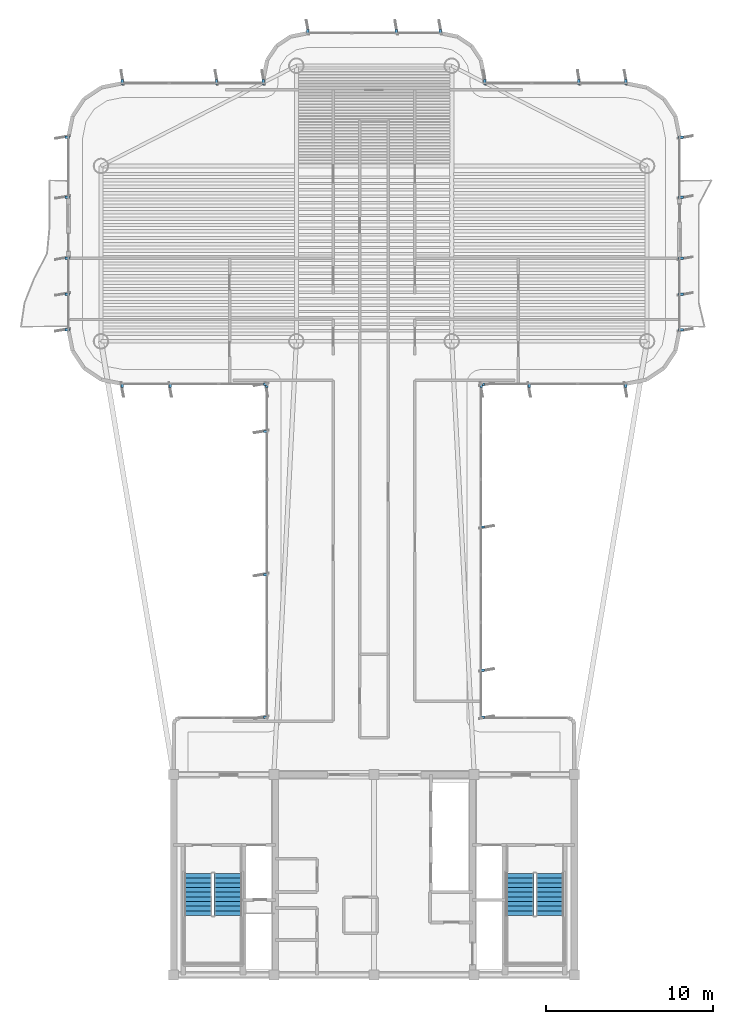
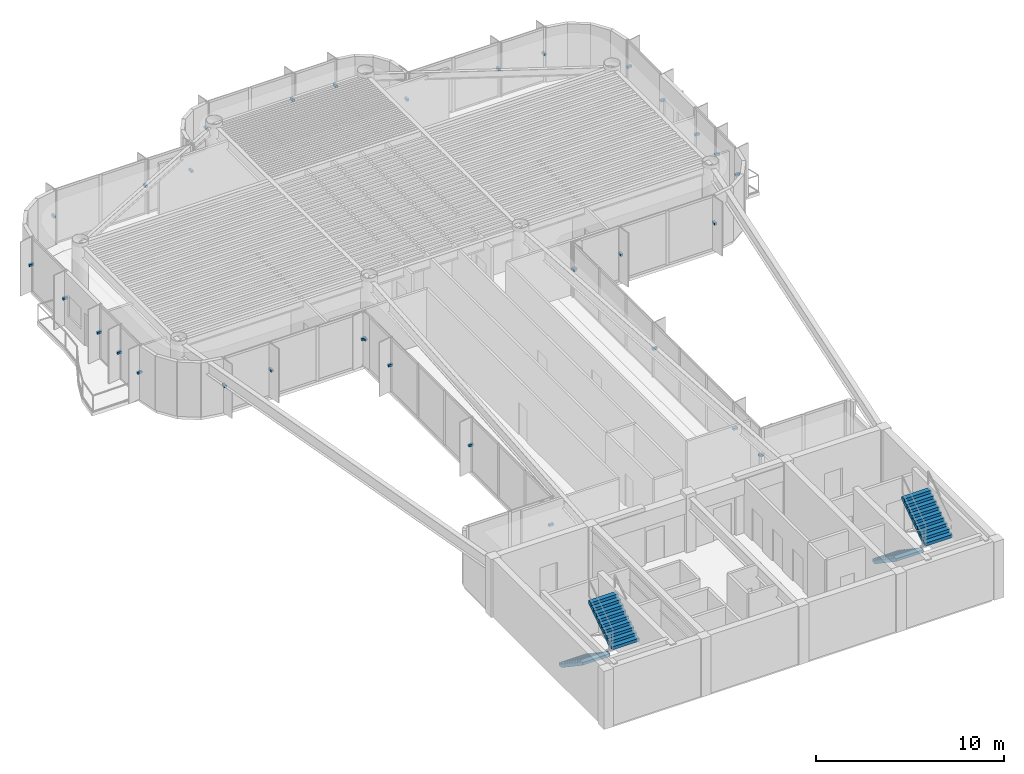
# One storey, part 13 of 15: 33 discrete accessories, 4 stair flights, 2 elements without a shape of their own.
"""IFC4 building model written with IfcOpenShell, lengths in metres."""

from ifc_helpers import new_model, si_unit, direction, frame, origin, origin_2d, place, context, subcontext, project, spatial, polyline, rectangle, outline, extrude, source, transform, mapped, material, type_object, element, aggregate, save


model = new_model("IFC4")

# Units and contexts
model_context = context("Model", 3, precision=1e-05, world=origin(), true_north=direction((0.0, 1.0)))
body_context = subcontext(model_context, "Body", "Model", "MODEL_VIEW")
ifc_project = project(units=[si_unit("LENGTHUNIT", "METRE"), si_unit("AREAUNIT", "SQUARE_METRE"), si_unit("VOLUMEUNIT", "CUBIC_METRE"), si_unit("PLANEANGLEUNIT", "RADIAN"), si_unit("MASSUNIT", "GRAM", prefix="KILO")], contexts=[model_context])

# Site, building, storey
site_placement = place(None, origin())
site = spatial("IfcSite", under=ifc_project, at=site_placement, CompositionType="ELEMENT")
building_placement = place(site_placement, origin())
building = spatial("IfcBuilding", under=site, at=building_placement, Name="Brelvock Crest Care Tower", CompositionType="ELEMENT")
storey_placement = place(building_placement, frame((0.0, 0.0, 241.919921875)))
storey = spatial("IfcBuildingStorey", under=building, at=storey_placement, Name="L61", CompositionType="ELEMENT", Elevation=241.919921875)

# Stair, stair flights
ifc_material_1 = material(Name="Concrete N40 (40 MPa)", Category="concrete")
stair_type = type_object("IfcStairType", Name="ST-CORE1", PredefinedType="HALF_TURN_STAIR", material=ifc_material_1)
stair_1_placement = place(storey_placement, origin())
stair_1 = element("IfcStair", 1, at=stair_1_placement, inside=storey, type_object=stair_type, Name="L61 Fire-Isolated Core Stair ST-1", PredefinedType="HALF_TURN_STAIR")
stair_flight_type = type_object("IfcStairFlightType", Name="STF-1", PredefinedType="STRAIGHT", material=ifc_material_1)
stair_flight_1_placement = place(storey_placement, frame((25.469970703125, 12.080078125, 0.0), z_axis=(0.0, 0.0, 1.0), x_axis=(0.0, -1.0, 0.0)))
stair_flight_1 = element("IfcStairFlight", 2, at=stair_flight_1_placement, type_object=stair_flight_type, Name="ST-1 flight 1", NumberOfRisers=10, NumberOfTreads=9, PredefinedType="STRAIGHT", RiserHeight=0.189, TreadLength=0.28, context=body_context, shape_type="SweptSolid", body=[
    extrude(outline(polyline([(-0.00390625, -0.014892578125), (-0.00390625, -0.0078125), (-0.00390625, -0.00048828125), (-0.00390625, 0.0068359375), (-0.00390625, 0.01416015625), (-0.00390625, 0.021484375), (-0.00390625, 0.02880859375), (-0.00390625, 0.035888671875), (-0.00390625, 0.043212890625), (-0.00390625, 0.050537109375), (-0.00390625, 0.057861328125), (-0.00390625, 0.065185546875), (-0.00390625, 0.072509765625), (-0.00390625, 0.07958984375), (-0.00390625, 0.0869140625), (-0.00390625, 0.09423828125), (-0.00390625, 0.1015625), (-0.00390625, 0.10888671875), (-0.00390625, 0.1162109375), (-0.00390625, 0.12353515625), (-0.00390625, 0.130615234375), (-0.00390625, 0.137939453125), (-0.00390625, 0.145263671875), (-0.00390625, 0.152587890625), (-0.00390625, 0.159912109375), (-0.00390625, 0.167236328125), (-0.00390625, 0.17431640625), (-0.00390625, 0.181640625), (-0.00390625, 0.18896484375), (0.0, 0.18896484375), (0.280029296875, 0.18896484375), (0.280029296875, 0.3779296875), (0.56005859375, 0.3779296875), (0.56005859375, 0.56689453125), (0.840087890625, 0.56689453125), (0.840087890625, 0.756103515625), (1.1201171875, 0.756103515625), (1.1201171875, 0.945068359375), (1.39990234375, 0.945068359375), (1.39990234375, 1.134033203125), (1.679931640625, 1.134033203125), (1.679931640625, 1.322998046875), (1.9599609375, 1.322998046875), (1.9599609375, 1.511962890625), (2.239990234375, 1.511962890625), (2.239990234375, 1.700927734375), (2.52001953125, 1.700927734375), (2.52392578125, 1.700927734375), (2.523681640625, 1.70068359375), (2.52392578125, 1.700439453125), (2.523681640625, 1.699951171875), (2.52392578125, 1.69970703125), (2.523681640625, 1.699462890625), (2.52392578125, 1.698974609375), (2.523681640625, 1.69873046875), (2.52392578125, 1.698486328125), (2.523681640625, 1.697998046875), (2.52392578125, 1.69775390625), (2.523681640625, 1.697509765625), (2.52392578125, 1.697021484375), (2.523681640625, 1.69677734375), (2.52392578125, 1.696533203125), (2.523681640625, 1.6962890625), (2.52392578125, 1.69580078125), (2.523681640625, 1.695556640625), (2.52392578125, 1.6953125), (2.523681640625, 1.69482421875), (2.52392578125, 1.694580078125), (2.523681640625, 1.6943359375), (2.52392578125, 1.69384765625), (2.523681640625, 1.693603515625), (2.52392578125, 1.693359375), (2.523681640625, 1.69287109375), (2.52392578125, 1.692626953125), (2.523681640625, 1.6923828125), (2.52392578125, 1.69189453125), (2.52001953125, 1.520263671875), (0.267822265625, 0.0), (0.0, 0.0), (0.0, -0.014892578125), (-0.00390625, -0.014892578125)])), frame((0.0, 0.83984375, 0.0), z_axis=(0.0, -1.0, 0.0), x_axis=(1.0, 0.0, 0.0)), (0.0, 0.0, 1.0), 1.679931640625),
])
stair_flight_2_placement = place(storey_placement, frame((27.27001953125, 9.56005859375, 1.89013671875), z_axis=(0.0, 0.0, 1.0), x_axis=(0.0, 1.0, 0.0)))
stair_flight_2 = element("IfcStairFlight", 3, at=stair_flight_2_placement, type_object=stair_flight_type, Name="ST-1 flight 2", NumberOfRisers=10, NumberOfTreads=9, PredefinedType="STRAIGHT", RiserHeight=0.189, TreadLength=0.28, context=body_context, shape_type="SweptSolid", body=[
    extrude(outline(polyline([(-0.00390625, -0.014892578125), (-0.00390625, -0.0078125), (-0.00390625, -0.00048828125), (-0.00390625, 0.0068359375), (-0.00390625, 0.01416015625), (-0.00390625, 0.021484375), (-0.00390625, 0.02880859375), (-0.00390625, 0.035888671875), (-0.00390625, 0.043212890625), (-0.00390625, 0.050537109375), (-0.00390625, 0.057861328125), (-0.00390625, 0.065185546875), (-0.00390625, 0.072509765625), (-0.00390625, 0.07958984375), (-0.00390625, 0.0869140625), (-0.00390625, 0.09423828125), (-0.00390625, 0.1015625), (-0.00390625, 0.10888671875), (-0.00390625, 0.1162109375), (-0.00390625, 0.12353515625), (-0.00390625, 0.130615234375), (-0.00390625, 0.137939453125), (-0.00390625, 0.145263671875), (-0.00390625, 0.152587890625), (-0.00390625, 0.159912109375), (-0.00390625, 0.167236328125), (-0.00390625, 0.17431640625), (-0.00390625, 0.181640625), (-0.00390625, 0.18896484375), (0.0, 0.18896484375), (0.280029296875, 0.18896484375), (0.280029296875, 0.3779296875), (0.56005859375, 0.3779296875), (0.56005859375, 0.56689453125), (0.840087890625, 0.56689453125), (0.840087890625, 0.756103515625), (1.1201171875, 0.756103515625), (1.1201171875, 0.945068359375), (1.39990234375, 0.945068359375), (1.39990234375, 1.134033203125), (1.679931640625, 1.134033203125), (1.679931640625, 1.322998046875), (1.9599609375, 1.322998046875), (1.9599609375, 1.511962890625), (2.239990234375, 1.511962890625), (2.239990234375, 1.700927734375), (2.52001953125, 1.700927734375), (2.52392578125, 1.700927734375), (2.523681640625, 1.70068359375), (2.52392578125, 1.700439453125), (2.523681640625, 1.699951171875), (2.52392578125, 1.69970703125), (2.523681640625, 1.699462890625), (2.52392578125, 1.698974609375), (2.523681640625, 1.69873046875), (2.52392578125, 1.698486328125), (2.523681640625, 1.697998046875), (2.52392578125, 1.69775390625), (2.523681640625, 1.697509765625), (2.52392578125, 1.697021484375), (2.523681640625, 1.69677734375), (2.52392578125, 1.696533203125), (2.523681640625, 1.6962890625), (2.52392578125, 1.69580078125), (2.523681640625, 1.695556640625), (2.52392578125, 1.6953125), (2.523681640625, 1.69482421875), (2.52392578125, 1.694580078125), (2.523681640625, 1.6943359375), (2.52392578125, 1.69384765625), (2.523681640625, 1.693603515625), (2.52392578125, 1.693359375), (2.523681640625, 1.69287109375), (2.52392578125, 1.692626953125), (2.523681640625, 1.6923828125), (2.52392578125, 1.69189453125), (2.52001953125, 1.520263671875), (0.267822265625, 0.0), (0.0, 0.0), (0.0, -0.014892578125), (-0.00390625, -0.014892578125)])), frame((0.0, 0.83984375, 0.0), z_axis=(0.0, -1.0, 0.0), x_axis=(1.0, 0.0, 0.0)), (0.0, 0.0, 1.0), 1.679931640625),
])
aggregate(stair_1, [stair_flight_1, stair_flight_2])

stair_2_placement = place(storey_placement, origin())
stair_2 = element("IfcStair", 4, at=stair_2_placement, inside=storey, type_object=stair_type, Name="L61 Fire-Isolated Core Stair ST-2", PredefinedType="HALF_TURN_STAIR")
stair_flight_3_placement = place(storey_placement, frame((44.72998046875, 12.080078125, 0.0), z_axis=(0.0, 0.0, 1.0), x_axis=(0.0, -1.0, 0.0)))
stair_flight_3 = element("IfcStairFlight", 5, at=stair_flight_3_placement, type_object=stair_flight_type, Name="ST-2 flight 1", NumberOfRisers=10, NumberOfTreads=9, PredefinedType="STRAIGHT", RiserHeight=0.189, TreadLength=0.28, context=body_context, shape_type="SweptSolid", body=[
    extrude(outline(polyline([(-0.00390625, -0.014892578125), (-0.00390625, -0.0078125), (-0.00390625, -0.00048828125), (-0.00390625, 0.0068359375), (-0.00390625, 0.01416015625), (-0.00390625, 0.021484375), (-0.00390625, 0.02880859375), (-0.00390625, 0.035888671875), (-0.00390625, 0.043212890625), (-0.00390625, 0.050537109375), (-0.00390625, 0.057861328125), (-0.00390625, 0.065185546875), (-0.00390625, 0.072509765625), (-0.00390625, 0.07958984375), (-0.00390625, 0.0869140625), (-0.00390625, 0.09423828125), (-0.00390625, 0.1015625), (-0.00390625, 0.10888671875), (-0.00390625, 0.1162109375), (-0.00390625, 0.12353515625), (-0.00390625, 0.130615234375), (-0.00390625, 0.137939453125), (-0.00390625, 0.145263671875), (-0.00390625, 0.152587890625), (-0.00390625, 0.159912109375), (-0.00390625, 0.167236328125), (-0.00390625, 0.17431640625), (-0.00390625, 0.181640625), (-0.00390625, 0.18896484375), (0.0, 0.18896484375), (0.280029296875, 0.18896484375), (0.280029296875, 0.3779296875), (0.56005859375, 0.3779296875), (0.56005859375, 0.56689453125), (0.840087890625, 0.56689453125), (0.840087890625, 0.756103515625), (1.1201171875, 0.756103515625), (1.1201171875, 0.945068359375), (1.39990234375, 0.945068359375), (1.39990234375, 1.134033203125), (1.679931640625, 1.134033203125), (1.679931640625, 1.322998046875), (1.9599609375, 1.322998046875), (1.9599609375, 1.511962890625), (2.239990234375, 1.511962890625), (2.239990234375, 1.700927734375), (2.52001953125, 1.700927734375), (2.52392578125, 1.700927734375), (2.523681640625, 1.70068359375), (2.52392578125, 1.700439453125), (2.523681640625, 1.699951171875), (2.52392578125, 1.69970703125), (2.523681640625, 1.699462890625), (2.52392578125, 1.698974609375), (2.523681640625, 1.69873046875), (2.52392578125, 1.698486328125), (2.523681640625, 1.697998046875), (2.52392578125, 1.69775390625), (2.523681640625, 1.697509765625), (2.52392578125, 1.697021484375), (2.523681640625, 1.69677734375), (2.52392578125, 1.696533203125), (2.523681640625, 1.6962890625), (2.52392578125, 1.69580078125), (2.523681640625, 1.695556640625), (2.52392578125, 1.6953125), (2.523681640625, 1.69482421875), (2.52392578125, 1.694580078125), (2.523681640625, 1.6943359375), (2.52392578125, 1.69384765625), (2.523681640625, 1.693603515625), (2.52392578125, 1.693359375), (2.523681640625, 1.69287109375), (2.52392578125, 1.692626953125), (2.523681640625, 1.6923828125), (2.52392578125, 1.69189453125), (2.52001953125, 1.520263671875), (0.267822265625, 0.0), (0.0, 0.0), (0.0, -0.014892578125), (-0.00390625, -0.014892578125)])), frame((0.0, 0.83984375, 0.0), z_axis=(0.0, -1.0, 0.0), x_axis=(1.0, 0.0, 0.0)), (0.0, 0.0, 1.0), 1.679931640625),
])
stair_flight_4_placement = place(storey_placement, frame((46.530029296875, 9.56005859375, 1.89013671875), z_axis=(0.0, 0.0, 1.0), x_axis=(0.0, 1.0, 0.0)))
stair_flight_4 = element("IfcStairFlight", 6, at=stair_flight_4_placement, type_object=stair_flight_type, Name="ST-2 flight 2", NumberOfRisers=10, NumberOfTreads=9, PredefinedType="STRAIGHT", RiserHeight=0.189, TreadLength=0.28, context=body_context, shape_type="SweptSolid", body=[
    extrude(outline(polyline([(-0.00390625, -0.014892578125), (-0.00390625, -0.0078125), (-0.00390625, -0.00048828125), (-0.00390625, 0.0068359375), (-0.00390625, 0.01416015625), (-0.00390625, 0.021484375), (-0.00390625, 0.02880859375), (-0.00390625, 0.035888671875), (-0.00390625, 0.043212890625), (-0.00390625, 0.050537109375), (-0.00390625, 0.057861328125), (-0.00390625, 0.065185546875), (-0.00390625, 0.072509765625), (-0.00390625, 0.07958984375), (-0.00390625, 0.0869140625), (-0.00390625, 0.09423828125), (-0.00390625, 0.1015625), (-0.00390625, 0.10888671875), (-0.00390625, 0.1162109375), (-0.00390625, 0.12353515625), (-0.00390625, 0.130615234375), (-0.00390625, 0.137939453125), (-0.00390625, 0.145263671875), (-0.00390625, 0.152587890625), (-0.00390625, 0.159912109375), (-0.00390625, 0.167236328125), (-0.00390625, 0.17431640625), (-0.00390625, 0.181640625), (-0.00390625, 0.18896484375), (0.0, 0.18896484375), (0.280029296875, 0.18896484375), (0.280029296875, 0.3779296875), (0.56005859375, 0.3779296875), (0.56005859375, 0.56689453125), (0.840087890625, 0.56689453125), (0.840087890625, 0.756103515625), (1.1201171875, 0.756103515625), (1.1201171875, 0.945068359375), (1.39990234375, 0.945068359375), (1.39990234375, 1.134033203125), (1.679931640625, 1.134033203125), (1.679931640625, 1.322998046875), (1.9599609375, 1.322998046875), (1.9599609375, 1.511962890625), (2.239990234375, 1.511962890625), (2.239990234375, 1.700927734375), (2.52001953125, 1.700927734375), (2.52392578125, 1.700927734375), (2.523681640625, 1.70068359375), (2.52392578125, 1.700439453125), (2.523681640625, 1.699951171875), (2.52392578125, 1.69970703125), (2.523681640625, 1.699462890625), (2.52392578125, 1.698974609375), (2.523681640625, 1.69873046875), (2.52392578125, 1.698486328125), (2.523681640625, 1.697998046875), (2.52392578125, 1.69775390625), (2.523681640625, 1.697509765625), (2.52392578125, 1.697021484375), (2.523681640625, 1.69677734375), (2.52392578125, 1.696533203125), (2.523681640625, 1.6962890625), (2.52392578125, 1.69580078125), (2.523681640625, 1.695556640625), (2.52392578125, 1.6953125), (2.523681640625, 1.69482421875), (2.52392578125, 1.694580078125), (2.523681640625, 1.6943359375), (2.52392578125, 1.69384765625), (2.523681640625, 1.693603515625), (2.52392578125, 1.693359375), (2.523681640625, 1.69287109375), (2.52392578125, 1.692626953125), (2.523681640625, 1.6923828125), (2.52392578125, 1.69189453125), (2.52001953125, 1.520263671875), (0.267822265625, 0.0), (0.0, 0.0), (0.0, -0.014892578125), (-0.00390625, -0.014892578125)])), frame((0.0, 0.83984375, 0.0), z_axis=(0.0, -1.0, 0.0), x_axis=(1.0, 0.0, 0.0)), (0.0, 0.0, 1.0), 1.679931640625),
])
aggregate(stair_2, [stair_flight_3, stair_flight_4])

# Discrete accessories
ifc_material_2 = material(Name="Steel Grade 350", Category="steel")
discrete_accessory_type = type_object("IfcDiscreteAccessoryType", Name="ACC-BRK1", PredefinedType="BRACKET", material=ifc_material_2)
shared_shape = source(origin(), body_context, "Body", "SweptSolid", [
    extrude(rectangle(XDim=0.280029296875, YDim=0.139892578125, at=origin_2d()), origin(), (0.0, 0.0, 1.0), 0.139892578125),
])
for number, where, z_axis, x_axis, name in (
    (7, (29.52001953125, 21.429931640625, 1.6953125), (0.0, 0.0, 1.0), (-1.0, 0.0, 0.0), "L61 Facade Fin Bracket E11-01"),
    (8, (29.52001953125, 29.971435546875, 1.6953125), (0.0, 0.0, 1.0), (-1.0, 0.0, 0.0), "L61 Facade Fin Bracket E11-04"),
    (9, (29.52001953125, 38.54296875, 1.6953125), (0.0, 0.0, 1.0), (-1.0, 0.0, 0.0), "L61 Facade Fin Bracket E11-07"),
    (10, (29.52001953125, 41.3701171875, 1.6953125), (0.0, 0.0, 1.0), (-1.0, 0.0, 0.0), "L61 Facade Fin Bracket E11-08"),
    (11, (29.570068359375, 41.320068359375, 1.6953125), (0.0, 0.0, 1.0), (0.0, -1.0, 0.0), "L61 Facade Fin Bracket E12-01"),
    (12, (23.800048828125, 41.320068359375, 1.6953125), (0.0, 0.0, 1.0), (0.0, -1.0, 0.0), "L61 Facade Fin Bracket E12-03"),
    (13, (20.929931640625, 41.320068359375, 1.6953125), (0.0, 0.0, 1.0), (0.0, -1.0, 0.0), "L61 Facade Fin Bracket E12-04"),
    (14, (17.6201171875, 44.6298828125, 1.6953125), (0.0, 0.0, 1.0), (-1.0, 0.0, 0.0), "L61 Facade Fin Bracket E17A-01"),
    (15, (17.6201171875, 46.77490234375, 1.6953125), (0.0, 0.0, 1.0), (-1.0, 0.0, 0.0), "L61 Facade Fin Bracket E17A-02"),
    (16, (17.6201171875, 48.919921875, 1.6953125), (0.0, 0.0, 1.0), (-1.0, 0.0, 0.0), "L61 Facade Fin Bracket E17A-03"),
    (17, (17.6201171875, 52.580078125, 1.6953125), (0.0, 0.0, 1.0), (-1.0, 0.0, 0.0), "L61 Facade Fin Bracket E17B-01"),
    (18, (17.6201171875, 56.169921875, 1.6953125), (0.0, 0.0, 1.0), (-1.0, 0.0, 0.0), "L61 Facade Fin Bracket E17B-02"),
    (19, (20.929931640625, 59.47998046875, 1.6953125), (0.0, 0.0, 1.0), (0.0, 1.0, 0.0), "L61 Facade Fin Bracket E22-01"),
    (20, (26.566650390625, 59.47998046875, 1.6953125), (0.0, 0.0, 1.0), (0.0, 1.0, 0.0), "L61 Facade Fin Bracket E22-03"),
    (21, (29.3701171875, 59.47998046875, 1.6953125), (0.0, 0.0, 1.0), (0.0, 1.0, 0.0), "L61 Facade Fin Bracket E22-04"),
    (22, (32.030029296875, 62.47998046875, 1.6953125), (0.0, 0.0, 1.0), (0.0, 1.0, 0.0), "L61 Facade Fin Bracket E28-01"),
    (23, (37.333251953125, 62.47998046875, 1.6953125), (0.0, 0.0, 1.0), (0.0, 1.0, 0.0), "L61 Facade Fin Bracket E28-03"),
    (24, (39.969970703125, 62.47998046875, 1.6953125), (0.0, 0.0, 1.0), (0.0, 1.0, 0.0), "L61 Facade Fin Bracket E28-04"),
    (25, (42.6298828125, 59.47998046875, 1.6953125), (0.0, 0.0, 1.0), (0.0, 1.0, 0.0), "L61 Facade Fin Bracket E34-01"),
    (26, (48.2666015625, 59.47998046875, 1.6953125), (0.0, 0.0, 1.0), (0.0, 1.0, 0.0), "L61 Facade Fin Bracket E34-03"),
    (27, (51.070068359375, 59.47998046875, 1.6953125), (0.0, 0.0, 1.0), (0.0, 1.0, 0.0), "L61 Facade Fin Bracket E34-04"),
    (28, (54.3798828125, 56.169921875, 1.6953125), (0.0, 0.0, 1.0), (1.0, 0.0, 0.0), "L61 Facade Fin Bracket E39A-01"),
    (29, (54.3798828125, 52.580078125, 1.6953125), (0.0, 0.0, 1.0), (1.0, 0.0, 0.0), "L61 Facade Fin Bracket E39A-02"),
    (30, (54.3798828125, 48.919921875, 1.6953125), (0.0, 0.0, 1.0), (1.0, 0.0, 0.0), "L61 Facade Fin Bracket E39B-01"),
    (31, (54.3798828125, 46.77490234375, 1.6953125), (0.0, 0.0, 1.0), (1.0, 0.0, 0.0), "L61 Facade Fin Bracket E39B-02"),
    (32, (54.3798828125, 44.6298828125, 1.6953125), (0.0, 0.0, 1.0), (1.0, 0.0, 0.0), "L61 Facade Fin Bracket E39B-03"),
    (33, (51.070068359375, 41.320068359375, 1.6953125), (0.0, 0.0, 1.0), (0.0, -1.0, 0.0), "L61 Facade Fin Bracket E44-01"),
    (34, (45.300048828125, 41.320068359375, 1.6953125), (0.0, 0.0, 1.0), (0.0, -1.0, 0.0), "L61 Facade Fin Bracket E44-03"),
    (35, (42.429931640625, 41.320068359375, 1.6953125), (0.0, 0.0, 1.0), (0.0, -1.0, 0.0), "L61 Facade Fin Bracket E44-04"),
    (36, (42.47998046875, 41.3701171875, 1.6953125), (0.0, 0.0, 1.0), (1.0, 0.0, 0.0), "L61 Facade Fin Bracket E45-01"),
    (37, (42.47998046875, 32.82861328125, 1.6953125), (0.0, 0.0, 1.0), (1.0, 0.0, 0.0), "L61 Facade Fin Bracket E45-04"),
    (38, (42.47998046875, 24.257080078125, 1.6953125), (0.0, 0.0, 1.0), (1.0, 0.0, 0.0), "L61 Facade Fin Bracket E45-07"),
    (39, (42.47998046875, 21.429931640625, 1.6953125), (0.0, 0.0, 1.0), (1.0, 0.0, 0.0), "L61 Facade Fin Bracket E45-08"),
):
    element("IfcDiscreteAccessory", number, at=place(storey_placement, frame(where, z_axis=z_axis, x_axis=x_axis)), inside=storey, type_object=discrete_accessory_type, Name=name, PredefinedType="BRACKET", context=body_context, shape_type="MappedRepresentation", body=[
        mapped(shared_shape, transform((0.0, 0.0, 0.0), x_axis=(1.0, 0.0, 0.0), y_axis=(0.0, 1.0, 0.0), z_axis=(0.0, 0.0, 1.0), scale=1.0)),
    ])

save(model, "model.ifc")
